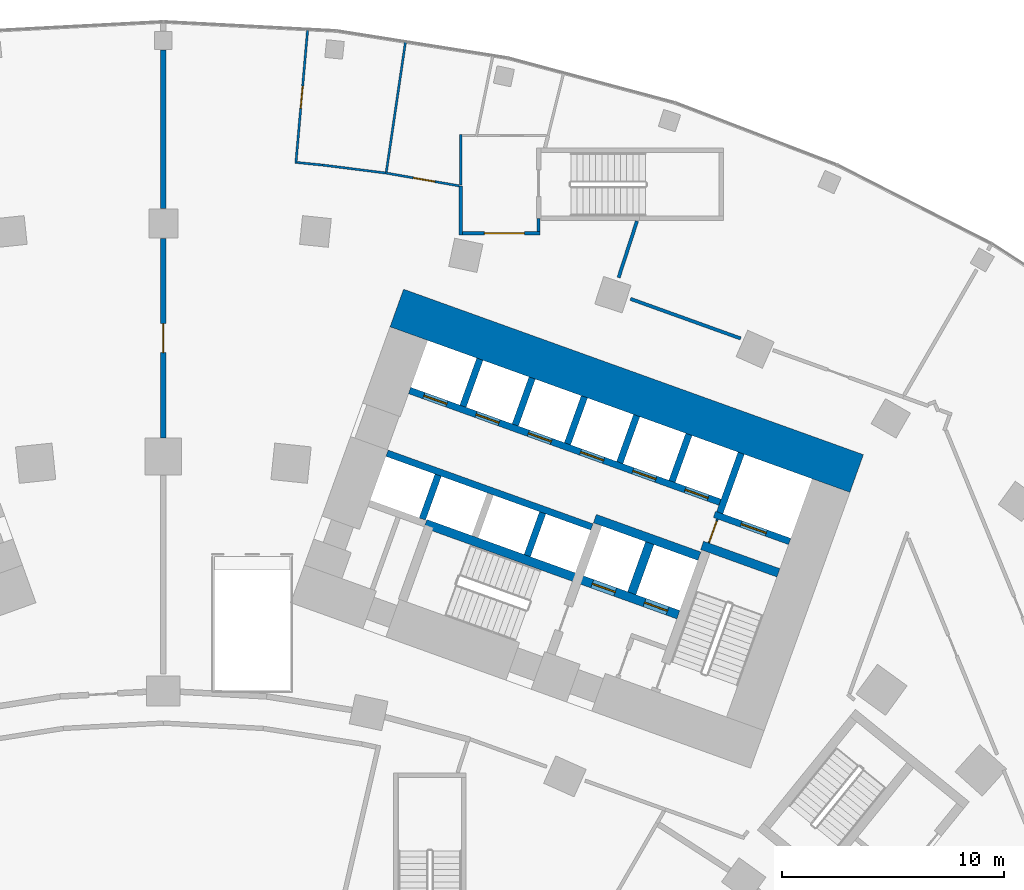
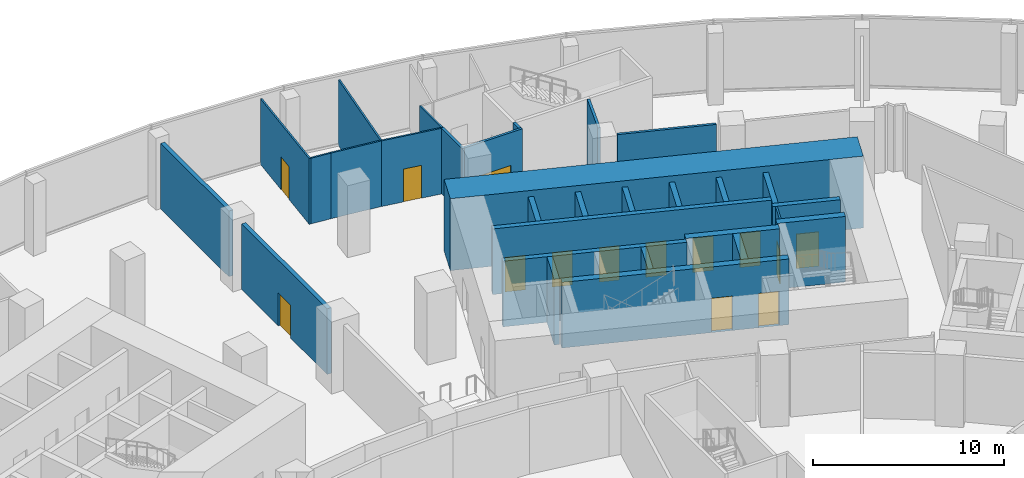
# One storey, part 27 of 40: 30 walls, 14 doors, 14 openings.
"""IFC4 building model written with IfcOpenShell, lengths in metres."""

from ifc_helpers import new_model, si_unit, direction, frame, frame_2d, origin, place, context, subcontext, project, spatial, rectangle, extrude, material, layer, layer_set, type_object, element, fill, save


model = new_model("IFC4")

# Units and contexts
model_context = context("Model", 3, precision=1e-05, world=origin(), true_north=direction((0.0, 1.0)))
body_context = subcontext(model_context, "Body", "Model", "MODEL_VIEW")
ifc_project = project(units=[si_unit("LENGTHUNIT", "METRE"), si_unit("AREAUNIT", "SQUARE_METRE"), si_unit("VOLUMEUNIT", "CUBIC_METRE"), si_unit("PLANEANGLEUNIT", "RADIAN"), si_unit("MASSUNIT", "GRAM", prefix="KILO")], contexts=[model_context])

# Site, building, storey
site_placement = place(None, origin())
site = spatial("IfcSite", under=ifc_project, at=site_placement, CompositionType="ELEMENT")
building_placement = place(site_placement, origin())
building = spatial("IfcBuilding", under=site, at=building_placement, Name="Stone Belt Terrace Tower", CompositionType="ELEMENT")
storey_placement = place(building_placement, frame((0.0, 0.0, 11.60009765625)))
storey = spatial("IfcBuildingStorey", under=building, at=storey_placement, Name="L02", CompositionType="ELEMENT", Elevation=11.60009765625)

# Wall, opening, door
ifc_material_1 = material(Name="Plasterboard partition")
ifc_layer_1 = layer(ifc_material_1, 0.10009765625)
ifc_layer_set_1 = layer_set([ifc_layer_1], Name="Core partition 100")
wall_type_1 = type_object("IfcWallType", Name="Core partition 100", PredefinedType="PARTITIONING", material=ifc_layer_set_1)
wall_1_placement = place(storey_placement, frame((24.555908203125, 51.10400390625, 0.0), z_axis=(0.0, 0.0, 1.0), x_axis=(0.338621735342, 0.94092258999, 0.0)))
wall_1 = element("IfcWall", 1, at=wall_1_placement, inside=storey, type_object=wall_type_1, Name="Core B wall", PredefinedType="PARTITIONING", context=body_context, shape_type="SweptSolid", body=[
    extrude(rectangle(XDim=1.14990234375, YDim=0.10009765625, at=frame_2d((0.574951171875, 0.0))), origin(), (0.0, 0.0, 1.0), 4.199951171875),
])
opening_1_placement = place(wall_1_placement, frame((0.050048828125, 0.0, 0.0)))
opening_1 = element("IfcOpeningElement", 2, at=opening_1_placement, cuts=wall_1, Name="Opening L02-C10", PredefinedType="OPENING", context=body_context, shape_type="SweptSolid", body=[
    extrude(rectangle(XDim=1.0, YDim=2.10009765625, at=frame_2d((0.5, 1.050048828125))), frame((0.0, 0.06005859375, 0.0), z_axis=(0.0, -1.0, 0.0), x_axis=(1.0, 0.0, 0.0)), (0.0, 0.0, 1.0), 0.1201171875),
])
ifc_material_2 = material(Name="Timber door leaf", Category="wood")
door_type_1 = type_object("IfcDoorType", Name="Core room door 1000", OperationType="SINGLE_SWING_LEFT", PredefinedType="DOOR", material=ifc_material_2)
door_1_placement = place(opening_1_placement, origin())
door_1 = element("IfcDoor", 3, at=door_1_placement, inside=storey, type_object=door_type_1, Name="Service lift lobby door core B", OperationType="SINGLE_SWING_RIGHT", OverallHeight=2.10009765625, OverallWidth=1.0, PredefinedType="DOOR", context=body_context, shape_type="SweptSolid", body=[
    extrude(rectangle(XDim=1.0, YDim=2.10009765625, at=frame_2d((0.5, 1.050048828125))), frame((0.0, 0.02490234375, 0.0), z_axis=(0.0, -1.0, 0.0), x_axis=(1.0, 0.0, 0.0)), (0.0, 0.0, 1.0), 0.050048828125),
])
fill(opening_1, door_1)

# Walls
ifc_material_3 = material(Name="Concrete B80", Category="concrete")
ifc_layer_2 = layer(ifc_material_3, 1.800048828125)
ifc_layer_set_2 = layer_set([ifc_layer_2], Name="Core wall 1800 B80")
wall_type_2 = type_object("IfcWallType", Name="Core wall 1800 B80", PredefinedType="SHEAR", material=ifc_layer_set_2)
wall_2_placement = place(storey_placement, frame((10.509033203125, 61.685546875, 0.0), z_axis=(0.0, 0.0, 1.0), x_axis=(0.940922914687, -0.338620833112, 0.0)))
element("IfcWall", 4, at=wall_2_placement, inside=storey, type_object=wall_type_2, Name="Core B wall convex L02", PredefinedType="SHEAR", context=body_context, shape_type="SweptSolid", body=[
    extrude(rectangle(XDim=22.000244140625, YDim=1.800048828125, at=frame_2d((11.0, 0.0))), origin(), (0.0, 0.0, 1.0), 4.599853515625),
])
ifc_layer_3 = layer(ifc_material_3, 0.39990234375)
ifc_layer_set_3 = layer_set([ifc_layer_3], Name="Fire-fighting lift shaft wall 400")
wall_type_3 = type_object("IfcWallType", Name="Fire-fighting lift shaft wall 400", PredefinedType="SHEAR", material=ifc_layer_set_3)
wall_3_placement = place(storey_placement, frame((24.130615234375, 50.512939453125, 0.0), z_axis=(0.0, 0.0, 1.0), x_axis=(-0.94091168377, 0.338652038744, 0.0)))
element("IfcWall", 5, at=wall_3_placement, inside=storey, type_object=wall_type_3, Name="Core B wall", PredefinedType="SHEAR", context=body_context, shape_type="SweptSolid", body=[
    extrude(rectangle(XDim=5.000244140625, YDim=0.39990234375, at=frame_2d((2.5, 0.0))), origin(), (0.0, 0.0, 1.0), 4.199951171875),
])
wall_4_placement = place(storey_placement, frame((21.0859375, 48.845458984375, 0.0), z_axis=(0.0, 0.0, 1.0), x_axis=(0.338629416206, 0.940919825745, 0.0)))
element("IfcWall", 6, at=wall_4_placement, inside=storey, type_object=wall_type_3, Name="Core B wall", PredefinedType="SHEAR", context=body_context, shape_type="SweptSolid", body=[
    extrude(rectangle(XDim=2.400146484375, YDim=0.39990234375, at=frame_2d((1.2001953125, 0.0))), origin(), (0.0, 0.0, 1.0), 4.199951171875),
])

# Wall, opening, door
ifc_material_4 = material(Name="Fire-resistant glazing in steel frame", Category="steel")
ifc_layer_4 = layer(ifc_material_4, 0.25)
ifc_layer_set_4 = layer_set([ifc_layer_4], Name="Glazed compartment fire screen 250")
wall_type_4 = type_object("IfcWallType", Name="Glazed compartment fire screen 250", PredefinedType="PARTITIONING", material=ifc_layer_set_4)
wall_5_placement = place(storey_placement, frame((0.0, 55.844970703125, 0.0), z_axis=(0.0, 0.0, 1.0), x_axis=(0.0, 1.0, 0.0)))
wall_5 = element("IfcWall", 7, at=wall_5_placement, inside=storey, type_object=wall_type_4, Name="Compartment fire screen L02 6", PredefinedType="PARTITIONING", context=body_context, shape_type="SweptSolid", body=[
    extrude(rectangle(XDim=8.973876953125, YDim=0.25, at=frame_2d((4.48681640625, 0.0))), origin(), (0.0, 0.0, 1.0), 4.199951171875),
])
opening_2_placement = place(wall_5_placement, frame((3.8369140625, 0.0, 0.0)))
opening_2 = element("IfcOpeningElement", 8, at=opening_2_placement, cuts=wall_5, Name="Opening L02-P34", PredefinedType="OPENING", context=body_context, shape_type="SweptSolid", body=[
    extrude(rectangle(XDim=1.300048828125, YDim=2.10009765625, at=frame_2d((0.64990234375, 1.050048828125))), frame((0.0, 0.135009765625, 0.0), z_axis=(0.0, -1.0, 0.0), x_axis=(1.0, 0.0, 0.0)), (0.0, 0.0, 1.0), 0.27001953125),
])
ifc_material_5 = material(Name="Steel framed fire door leaf", Category="steel")
door_type_2 = type_object("IfcDoorType", Name="Fire door 1300 x 2100 EI 60", OperationType="SINGLE_SWING_LEFT", PredefinedType="DOOR", material=ifc_material_5)
door_2_placement = place(opening_2_placement, origin())
door_2 = element("IfcDoor", 9, at=door_2_placement, inside=storey, type_object=door_type_2, Name="Fire door 1300 x 2100 EI 60", OperationType="SINGLE_SWING_LEFT", OverallHeight=2.10009765625, OverallWidth=1.300048828125, PredefinedType="DOOR", context=body_context, shape_type="SweptSolid", body=[
    extrude(rectangle(XDim=1.300048828125, YDim=2.10009765625, at=frame_2d((0.64990234375, 1.050048828125))), frame((0.0, 0.02490234375, 0.0), z_axis=(0.0, -1.0, 0.0), x_axis=(1.0, 0.0, 0.0)), (0.0, 0.0, 1.0), 0.050048828125),
])
fill(opening_2, door_2)

# Wall
wall_6_placement = place(storey_placement, frame((0.0, 66.158935546875, 0.0), z_axis=(0.0, 0.0, 1.0), x_axis=(0.0, 1.0, 0.0)))
element("IfcWall", 10, at=wall_6_placement, inside=storey, type_object=wall_type_4, Name="Compartment fire screen L02 6", PredefinedType="PARTITIONING", context=body_context, shape_type="SweptSolid", body=[
    extrude(rectangle(XDim=7.14892578125, YDim=0.25, at=frame_2d((3.574462890625, 0.0))), origin(), (0.0, 0.0, 1.0), 4.199951171875),
])

# Wall, opening, door
ifc_layer_5 = layer(ifc_material_3, 0.300048828125)
ifc_layer_set_5 = layer_set([ifc_layer_5], Name="Lift shaft wall 300")
wall_type_5 = type_object("IfcWallType", Name="Lift shaft wall 300", PredefinedType="SHEAR", material=ifc_layer_set_5)
wall_7_placement = place(storey_placement, frame((28.195068359375, 51.17578125, 0.0), z_axis=(0.0, 0.0, 1.0), x_axis=(-0.940901243567, 0.338681044427, 0.0)))
wall_7 = element("IfcWall", 11, at=wall_7_placement, inside=storey, type_object=wall_type_5, Name="Core B wall", PredefinedType="SHEAR", context=body_context, shape_type="SweptSolid", body=[
    extrude(rectangle(XDim=3.599853515625, YDim=0.300048828125, at=frame_2d((1.7998046875, 0.0))), origin(), (0.0, 0.0, 1.0), 4.199951171875),
])
opening_3_placement = place(wall_7_placement, frame((1.1201171875, 0.0, 0.0)))
opening_3 = element("IfcOpeningElement", 12, at=opening_3_placement, cuts=wall_7, Name="Opening L02-LD18", PredefinedType="OPENING", context=body_context, shape_type="SweptSolid", body=[
    extrude(rectangle(XDim=1.199951171875, YDim=2.199951171875, at=frame_2d((0.60009765625, 1.10009765625))), frame((0.0, 0.159912109375, 0.0), z_axis=(0.0, -1.0, 0.0), x_axis=(1.0, 0.0, 0.0)), (0.0, 0.0, 1.0), 0.320068359375),
])
ifc_material_6 = material(Name="Stainless steel door leaf", Category="steel")
door_type_3 = type_object("IfcDoorType", Name="Landing door 1200", OperationType="SLIDING_TO_LEFT", PredefinedType="DOOR", material=ifc_material_6)
door_3_placement = place(opening_3_placement, origin())
door_3 = element("IfcDoor", 13, at=door_3_placement, inside=storey, type_object=door_type_3, Name="Landing door SV1 core B", OperationType="SLIDING_TO_LEFT", OverallHeight=2.199951171875, OverallWidth=1.199951171875, PredefinedType="DOOR", context=body_context, shape_type="SweptSolid", body=[
    extrude(rectangle(XDim=1.199951171875, YDim=2.199951171875, at=frame_2d((0.60009765625, 1.10009765625))), frame((0.0, 0.02490234375, 0.0), z_axis=(0.0, -1.0, 0.0), x_axis=(1.0, 0.0, 0.0)), (0.0, 0.0, 1.0), 0.050048828125),
])
fill(opening_3, door_3)

# Wall
wall_8_placement = place(storey_placement, frame((25.046875, 52.46826171875, 0.0), z_axis=(0.0, 0.0, 1.0), x_axis=(0.338549588058, 0.940948551423, 0.0)))
element("IfcWall", 14, at=wall_8_placement, inside=storey, type_object=wall_type_5, Name="Core B wall", PredefinedType="SHEAR", context=body_context, shape_type="SweptSolid", body=[
    extrude(rectangle(XDim=2.849853515625, YDim=0.300048828125, at=frame_2d((1.4248046875, 0.0))), origin(), (0.0, 0.0, 1.0), 4.199951171875),
])

# Wall, openings, doors
wall_9_placement = place(storey_placement, frame((25.05810546875, 52.9423828125, 0.0), z_axis=(0.0, 0.0, 1.0), x_axis=(-0.940918215764, 0.338633889685, 0.0)))
wall_9 = element("IfcWall", 15, at=wall_9_placement, inside=storey, type_object=wall_type_5, Name="Core B wall", PredefinedType="SHEAR", context=body_context, shape_type="SweptSolid", body=[
    extrude(rectangle(XDim=14.850341796875, YDim=0.300048828125, at=frame_2d((7.42529296875, 0.0))), origin(), (0.0, 0.0, 1.0), 4.199951171875),
])
opening_4_placement = place(wall_9_placement, frame((0.570068359375, 0.0, 0.0)))
opening_4 = element("IfcOpeningElement", 16, at=opening_4_placement, cuts=wall_9, Name="Opening L02-LD10", PredefinedType="OPENING", context=body_context, shape_type="SweptSolid", body=[
    extrude(rectangle(XDim=1.10009765625, YDim=2.199951171875, at=frame_2d((0.550048828125, 1.10009765625))), frame((0.0, 0.159912109375, 0.0), z_axis=(0.0, -1.0, 0.0), x_axis=(1.0, 0.0, 0.0)), (0.0, 0.0, 1.0), 0.320068359375),
])
opening_5_placement = place(wall_9_placement, frame((3.070068359375, 0.0, 0.0)))
opening_5 = element("IfcOpeningElement", 17, at=opening_5_placement, cuts=wall_9, Name="Opening L02-LD11", PredefinedType="OPENING", context=body_context, shape_type="SweptSolid", body=[
    extrude(rectangle(XDim=1.10009765625, YDim=2.199951171875, at=frame_2d((0.550048828125, 1.10009765625))), frame((0.0, 0.159912109375, 0.0), z_axis=(0.0, -1.0, 0.0), x_axis=(1.0, 0.0, 0.0)), (0.0, 0.0, 1.0), 0.320068359375),
])
opening_6_placement = place(wall_9_placement, frame((5.570068359375, 0.0, 0.0)))
opening_6 = element("IfcOpeningElement", 18, at=opening_6_placement, cuts=wall_9, Name="Opening L02-LD12", PredefinedType="OPENING", context=body_context, shape_type="SweptSolid", body=[
    extrude(rectangle(XDim=1.10009765625, YDim=2.199951171875, at=frame_2d((0.550048828125, 1.10009765625))), frame((0.0, 0.159912109375, 0.0), z_axis=(0.0, -1.0, 0.0), x_axis=(1.0, 0.0, 0.0)), (0.0, 0.0, 1.0), 0.320068359375),
])
opening_7_placement = place(wall_9_placement, frame((8.070068359375, 0.0, 0.0)))
opening_7 = element("IfcOpeningElement", 19, at=opening_7_placement, cuts=wall_9, Name="Opening L02-LD13", PredefinedType="OPENING", context=body_context, shape_type="SweptSolid", body=[
    extrude(rectangle(XDim=1.10009765625, YDim=2.199951171875, at=frame_2d((0.550048828125, 1.10009765625))), frame((0.0, 0.159912109375, 0.0), z_axis=(0.0, -1.0, 0.0), x_axis=(1.0, 0.0, 0.0)), (0.0, 0.0, 1.0), 0.320068359375),
])
opening_8_placement = place(wall_9_placement, frame((10.570068359375, 0.0, 0.0)))
opening_8 = element("IfcOpeningElement", 20, at=opening_8_placement, cuts=wall_9, Name="Opening L02-LD14", PredefinedType="OPENING", context=body_context, shape_type="SweptSolid", body=[
    extrude(rectangle(XDim=1.10009765625, YDim=2.199951171875, at=frame_2d((0.550048828125, 1.10009765625))), frame((0.0, 0.159912109375, 0.0), z_axis=(0.0, -1.0, 0.0), x_axis=(1.0, 0.0, 0.0)), (0.0, 0.0, 1.0), 0.320068359375),
])
opening_9_placement = place(wall_9_placement, frame((13.070068359375, 0.0, 0.0)))
opening_9 = element("IfcOpeningElement", 21, at=opening_9_placement, cuts=wall_9, Name="Opening L02-LD15", PredefinedType="OPENING", context=body_context, shape_type="SweptSolid", body=[
    extrude(rectangle(XDim=1.10009765625, YDim=2.199951171875, at=frame_2d((0.550048828125, 1.10009765625))), frame((0.0, 0.159912109375, 0.0), z_axis=(0.0, -1.0, 0.0), x_axis=(1.0, 0.0, 0.0)), (0.0, 0.0, 1.0), 0.320068359375),
])
door_type_4 = type_object("IfcDoorType", Name="Landing door 1100", OperationType="SLIDING_TO_LEFT", PredefinedType="DOOR", material=ifc_material_6)
door_4_placement = place(opening_4_placement, origin())
door_4 = element("IfcDoor", 22, at=door_4_placement, inside=storey, type_object=door_type_4, Name="Landing door LR1 core B", OperationType="SLIDING_TO_LEFT", OverallHeight=2.199951171875, OverallWidth=1.10009765625, PredefinedType="DOOR", context=body_context, shape_type="SweptSolid", body=[
    extrude(rectangle(XDim=1.10009765625, YDim=2.199951171875, at=frame_2d((0.550048828125, 1.10009765625))), frame((0.0, 0.02490234375, 0.0), z_axis=(0.0, -1.0, 0.0), x_axis=(1.0, 0.0, 0.0)), (0.0, 0.0, 1.0), 0.050048828125),
])
fill(opening_4, door_4)
door_5_placement = place(opening_5_placement, origin())
door_5 = element("IfcDoor", 23, at=door_5_placement, inside=storey, type_object=door_type_4, Name="Landing door LR2 core B", OperationType="SLIDING_TO_LEFT", OverallHeight=2.199951171875, OverallWidth=1.10009765625, PredefinedType="DOOR", context=body_context, shape_type="SweptSolid", body=[
    extrude(rectangle(XDim=1.10009765625, YDim=2.199951171875, at=frame_2d((0.550048828125, 1.10009765625))), frame((0.0, 0.02490234375, 0.0), z_axis=(0.0, -1.0, 0.0), x_axis=(1.0, 0.0, 0.0)), (0.0, 0.0, 1.0), 0.050048828125),
])
fill(opening_5, door_5)
door_6_placement = place(opening_6_placement, origin())
door_6 = element("IfcDoor", 24, at=door_6_placement, inside=storey, type_object=door_type_4, Name="Landing door LR3 core B", OperationType="SLIDING_TO_LEFT", OverallHeight=2.199951171875, OverallWidth=1.10009765625, PredefinedType="DOOR", context=body_context, shape_type="SweptSolid", body=[
    extrude(rectangle(XDim=1.10009765625, YDim=2.199951171875, at=frame_2d((0.550048828125, 1.10009765625))), frame((0.0, 0.02490234375, 0.0), z_axis=(0.0, -1.0, 0.0), x_axis=(1.0, 0.0, 0.0)), (0.0, 0.0, 1.0), 0.050048828125),
])
fill(opening_6, door_6)
door_7_placement = place(opening_7_placement, origin())
door_7 = element("IfcDoor", 25, at=door_7_placement, inside=storey, type_object=door_type_4, Name="Landing door LR4 core B", OperationType="SLIDING_TO_LEFT", OverallHeight=2.199951171875, OverallWidth=1.10009765625, PredefinedType="DOOR", context=body_context, shape_type="SweptSolid", body=[
    extrude(rectangle(XDim=1.10009765625, YDim=2.199951171875, at=frame_2d((0.550048828125, 1.10009765625))), frame((0.0, 0.02490234375, 0.0), z_axis=(0.0, -1.0, 0.0), x_axis=(1.0, 0.0, 0.0)), (0.0, 0.0, 1.0), 0.050048828125),
])
fill(opening_7, door_7)
door_8_placement = place(opening_8_placement, origin())
door_8 = element("IfcDoor", 26, at=door_8_placement, inside=storey, type_object=door_type_4, Name="Landing door LR5 core B", OperationType="SLIDING_TO_LEFT", OverallHeight=2.199951171875, OverallWidth=1.10009765625, PredefinedType="DOOR", context=body_context, shape_type="SweptSolid", body=[
    extrude(rectangle(XDim=1.10009765625, YDim=2.199951171875, at=frame_2d((0.550048828125, 1.10009765625))), frame((0.0, 0.02490234375, 0.0), z_axis=(0.0, -1.0, 0.0), x_axis=(1.0, 0.0, 0.0)), (0.0, 0.0, 1.0), 0.050048828125),
])
fill(opening_8, door_8)
door_9_placement = place(opening_9_placement, origin())
door_9 = element("IfcDoor", 27, at=door_9_placement, inside=storey, type_object=door_type_4, Name="Landing door LR6 core B", OperationType="SLIDING_TO_LEFT", OverallHeight=2.199951171875, OverallWidth=1.10009765625, PredefinedType="DOOR", context=body_context, shape_type="SweptSolid", body=[
    extrude(rectangle(XDim=1.10009765625, YDim=2.199951171875, at=frame_2d((0.550048828125, 1.10009765625))), frame((0.0, 0.02490234375, 0.0), z_axis=(0.0, -1.0, 0.0), x_axis=(1.0, 0.0, 0.0)), (0.0, 0.0, 1.0), 0.050048828125),
])
fill(opening_9, door_9)

# Walls
wall_10_placement = place(storey_placement, frame((22.897705078125, 53.87939453125, 0.0), z_axis=(0.0, 0.0, 1.0), x_axis=(0.338535034312, 0.940953787677, 0.0)))
element("IfcWall", 28, at=wall_10_placement, inside=storey, type_object=wall_type_5, Name="Core B wall", PredefinedType="SHEAR", context=body_context, shape_type="SweptSolid", body=[
    extrude(rectangle(XDim=2.25, YDim=0.300048828125, at=frame_2d((1.125, 0.0))), origin(), (0.0, 0.0, 1.0), 4.199951171875),
])
wall_11_placement = place(storey_placement, frame((19.29052734375, 51.829833984375, 0.0), z_axis=(0.0, 0.0, 1.0), x_axis=(-0.940925833398, 0.338612722803, 0.0)))
element("IfcWall", 29, at=wall_11_placement, inside=storey, type_object=wall_type_5, Name="Core B wall", PredefinedType="SHEAR", context=body_context, shape_type="SweptSolid", body=[
    extrude(rectangle(XDim=9.7998046875, YDim=0.300048828125, at=frame_2d((4.89990234375, 0.0))), origin(), (0.0, 0.0, 1.0), 4.199951171875),
])
wall_12_placement = place(storey_placement, frame((20.54541015625, 54.72607421875, 0.0), z_axis=(0.0, 0.0, 1.0), x_axis=(0.338569601369, 0.940941350472, 0.0)))
element("IfcWall", 30, at=wall_12_placement, inside=storey, type_object=wall_type_5, Name="Core B wall", PredefinedType="SHEAR", context=body_context, shape_type="SweptSolid", body=[
    extrude(rectangle(XDim=2.249755859375, YDim=0.300048828125, at=frame_2d((1.125, 0.0))), origin(), (0.0, 0.0, 1.0), 4.199951171875),
])
wall_13_placement = place(storey_placement, frame((16.38134765625, 50.53857421875, 0.0), z_axis=(0.0, 0.0, 1.0), x_axis=(0.338681515556, 0.940901073982, 0.0)))
element("IfcWall", 31, at=wall_13_placement, inside=storey, type_object=wall_type_5, Name="Core B wall", PredefinedType="SHEAR", context=body_context, shape_type="SweptSolid", body=[
    extrude(rectangle(XDim=2.050048828125, YDim=0.300048828125, at=frame_2d((1.02490234375, 0.0))), origin(), (0.0, 0.0, 1.0), 4.199951171875),
])
wall_14_placement = place(storey_placement, frame((18.193115234375, 55.572509765625, 0.0), z_axis=(0.0, 0.0, 1.0), x_axis=(0.338535034312, 0.940953787677, 0.0)))
element("IfcWall", 32, at=wall_14_placement, inside=storey, type_object=wall_type_5, Name="Core B wall", PredefinedType="SHEAR", context=body_context, shape_type="SweptSolid", body=[
    extrude(rectangle(XDim=2.25, YDim=0.300048828125, at=frame_2d((1.125, 0.0))), origin(), (0.0, 0.0, 1.0), 4.199951171875),
])
wall_15_placement = place(storey_placement, frame((15.8408203125, 56.419189453125, 0.0), z_axis=(0.0, 0.0, 1.0), x_axis=(0.338569601369, 0.940941350472, 0.0)))
element("IfcWall", 33, at=wall_15_placement, inside=storey, type_object=wall_type_5, Name="Core B wall", PredefinedType="SHEAR", context=body_context, shape_type="SweptSolid", body=[
    extrude(rectangle(XDim=2.249755859375, YDim=0.300048828125, at=frame_2d((1.125, 0.0))), origin(), (0.0, 0.0, 1.0), 4.199951171875),
])
wall_16_placement = place(storey_placement, frame((11.659912109375, 52.184814453125, 0.0), z_axis=(0.0, 0.0, 1.0), x_axis=(0.338670064856, 0.940905195634, 0.0)))
element("IfcWall", 34, at=wall_16_placement, inside=storey, type_object=wall_type_5, Name="Core B wall", PredefinedType="SHEAR", context=body_context, shape_type="SweptSolid", body=[
    extrude(rectangle(XDim=2.099853515625, YDim=0.300048828125, at=frame_2d((1.0498046875, 0.0))), origin(), (0.0, 0.0, 1.0), 4.199951171875),
])
wall_17_placement = place(storey_placement, frame((13.48828125, 57.265625, 0.0), z_axis=(0.0, 0.0, 1.0), x_axis=(0.338631098537, 0.940919220286, 0.0)))
element("IfcWall", 35, at=wall_17_placement, inside=storey, type_object=wall_type_5, Name="Core B wall", PredefinedType="SHEAR", context=body_context, shape_type="SweptSolid", body=[
    extrude(rectangle(XDim=2.250244140625, YDim=0.300048828125, at=frame_2d((1.125, 0.0))), origin(), (0.0, 0.0, 1.0), 4.199951171875),
])
ifc_material_7 = material(Name="Gypsum board on steel stud partition", Category="steel")
ifc_layer_6 = layer(ifc_material_7, 0.14990234375)
ifc_layer_set_6 = layer_set([ifc_layer_6], Name="Podium partition 150")
wall_type_6 = type_object("IfcWallType", Name="Podium partition 150", PredefinedType="PARTITIONING", material=ifc_layer_set_6)
wall_18_placement = place(storey_placement, frame((13.389892578125, 64.97509765625, 0.0), z_axis=(0.0, 0.0, 1.0), x_axis=(0.0, 1.0, 0.0)))
element("IfcWall", 36, at=wall_18_placement, inside=storey, type_object=wall_type_6, Name="Podium partition 150", PredefinedType="PARTITIONING", context=body_context, shape_type="SweptSolid", body=[
    extrude(rectangle(XDim=2.204833984375, YDim=0.14990234375, at=frame_2d((1.1025390625, 0.0))), origin(), (0.0, 0.0, 1.0), 4.199951171875),
])

# Wall, opening, door
wall_19_placement = place(storey_placement, frame((13.465087890625, 65.050048828125, 0.0), z_axis=(0.0, 0.0, 1.0), x_axis=(1.0, 0.0, 0.0)))
wall_19 = element("IfcWall", 37, at=wall_19_placement, inside=storey, type_object=wall_type_6, Name="Podium partition 150", PredefinedType="PARTITIONING", context=body_context, shape_type="SweptSolid", body=[
    extrude(rectangle(XDim=3.5, YDim=0.14990234375, at=frame_2d((1.75, 0.0))), origin(), (0.0, 0.0, 1.0), 4.199951171875),
])
opening_10_placement = place(wall_19_placement, frame((0.989990234375, 0.0, 0.0)))
opening_10 = element("IfcOpeningElement", 38, at=opening_10_placement, cuts=wall_19, Name="Opening L02-P37", PredefinedType="OPENING", context=body_context, shape_type="SweptSolid", body=[
    extrude(rectangle(XDim=1.800048828125, YDim=2.10009765625, at=frame_2d((0.89990234375, 1.050048828125))), frame((0.0, 0.0849609375, 0.0), z_axis=(0.0, -1.0, 0.0), x_axis=(1.0, 0.0, 0.0)), (0.0, 0.0, 1.0), 0.169921875),
])
ifc_material_8 = material(Name="Steel framed door leaf", Category="steel")
door_type_5 = type_object("IfcDoorType", Name="Podium door double 1800", OperationType="DOUBLE_DOOR_SINGLE_SWING", PredefinedType="DOOR", material=ifc_material_8)
door_10_placement = place(opening_10_placement, origin())
door_10 = element("IfcDoor", 39, at=door_10_placement, inside=storey, type_object=door_type_5, Name="Podium door double 1800", OperationType="DOUBLE_DOOR_SINGLE_SWING", OverallHeight=2.10009765625, OverallWidth=1.800048828125, PredefinedType="DOOR", context=body_context, shape_type="SweptSolid", body=[
    extrude(rectangle(XDim=1.800048828125, YDim=2.10009765625, at=frame_2d((0.89990234375, 1.050048828125))), frame((0.0, 0.02490234375, 0.0), z_axis=(0.0, -1.0, 0.0), x_axis=(1.0, 0.0, 0.0)), (0.0, 0.0, 1.0), 0.050048828125),
])
fill(opening_10, door_10)

# Walls
wall_20_placement = place(storey_placement, frame((16.889892578125, 65.125, 0.0), z_axis=(0.0, 0.0, 1.0), x_axis=(0.0, 1.0, 0.0)))
element("IfcWall", 40, at=wall_20_placement, inside=storey, type_object=wall_type_6, Name="Podium partition 150", PredefinedType="PARTITIONING", context=body_context, shape_type="SweptSolid", body=[
    extrude(rectangle(XDim=0.594970703125, YDim=0.14990234375, at=frame_2d((0.29736328125, 0.0))), origin(), (0.0, 0.0, 1.0), 4.199951171875),
])
wall_21_placement = place(storey_placement, frame((20.4921875, 63.052490234375, 0.0), z_axis=(0.0, 0.0, 1.0), x_axis=(0.309376936242, 0.95093948878, 0.0)))
element("IfcWall", 41, at=wall_21_placement, inside=storey, type_object=wall_type_6, Name="Podium partition 150", PredefinedType="PARTITIONING", context=body_context, shape_type="SweptSolid", body=[
    extrude(rectangle(XDim=2.676025390625, YDim=0.14990234375, at=frame_2d((1.337890625, 0.0))), origin(), (0.0, 0.0, 1.0), 4.199951171875),
])
wall_22_placement = place(storey_placement, frame((21.025634765625, 62.09814453125, 0.0), z_axis=(0.0, 0.0, 1.0), x_axis=(0.94099711715, -0.338414576393, 0.0)))
element("IfcWall", 42, at=wall_22_placement, inside=storey, type_object=wall_type_6, Name="Podium partition 150", PredefinedType="PARTITIONING", context=body_context, shape_type="SweptSolid", body=[
    extrude(rectangle(XDim=5.2744140625, YDim=0.14990234375, at=frame_2d((2.63720703125, 0.0))), origin(), (0.0, 0.0, 1.0), 4.199951171875),
])

# Wall, opening, door
ifc_material_9 = material(Name="Moisture-resistant board on steel stud partition", Category="steel")
ifc_layer_7 = layer(ifc_material_9, 0.10009765625)
ifc_layer_set_7 = layer_set([ifc_layer_7], Name="Podium toilet partition 100")
wall_type_7 = type_object("IfcWallType", Name="Podium toilet partition 100", PredefinedType="PARTITIONING", material=ifc_layer_set_7)
wall_23_placement = place(storey_placement, frame((5.965576171875, 68.190185546875, 0.0), z_axis=(0.0, 0.0, 1.0), x_axis=(0.087496871295, 0.996164794356, 0.0)))
wall_23 = element("IfcWall", 43, at=wall_23_placement, inside=storey, type_object=wall_type_7, Name="Podium toilet partition 100", PredefinedType="PARTITIONING", context=body_context, shape_type="SweptSolid", body=[
    extrude(rectangle(XDim=6.04931640625, YDim=0.10009765625, at=frame_2d((3.024658203125, 0.0))), origin(), (0.0, 0.0, 1.0), 4.199951171875),
])
opening_11_placement = place(wall_23_placement, frame((2.496337890625, 0.0, 0.0)))
opening_11 = element("IfcOpeningElement", 44, at=opening_11_placement, cuts=wall_23, Name="Opening L02-P13", PredefinedType="OPENING", context=body_context, shape_type="SweptSolid", body=[
    extrude(rectangle(XDim=1.0, YDim=2.10009765625, at=frame_2d((0.5, 1.050048828125))), frame((0.0, 0.06005859375, 0.0), z_axis=(0.0, -1.0, 0.0), x_axis=(1.0, 0.0, 0.0)), (0.0, 0.0, 1.0), 0.1201171875),
])
door_type_6 = type_object("IfcDoorType", Name="Podium door single 1000", OperationType="SINGLE_SWING_LEFT", PredefinedType="DOOR", material=ifc_material_8)
door_11_placement = place(opening_11_placement, origin())
door_11 = element("IfcDoor", 45, at=door_11_placement, inside=storey, type_object=door_type_6, Name="Podium door single 1000", OperationType="SINGLE_SWING_LEFT", OverallHeight=2.10009765625, OverallWidth=1.0, PredefinedType="DOOR", context=body_context, shape_type="SweptSolid", body=[
    extrude(rectangle(XDim=1.0, YDim=2.10009765625, at=frame_2d((0.5, 1.050048828125))), frame((0.0, 0.02490234375, 0.0), z_axis=(0.0, -1.0, 0.0), x_axis=(1.0, 0.0, 0.0)), (0.0, 0.0, 1.0), 0.050048828125),
])
fill(opening_11, door_11)

# Walls
wall_24_placement = place(storey_placement, frame((6.019775390625, 68.235107421875, 0.0), z_axis=(0.0, 0.0, 1.0), x_axis=(0.994948162033, -0.100390013778, 0.0)))
element("IfcWall", 46, at=wall_24_placement, inside=storey, type_object=wall_type_7, Name="Podium toilet partition 100", PredefinedType="PARTITIONING", context=body_context, shape_type="SweptSolid", body=[
    extrude(rectangle(XDim=1.1455078125, YDim=0.10009765625, at=frame_2d((0.57275390625, 0.0))), origin(), (0.0, 0.0, 1.0), 4.199951171875),
])
wall_25_placement = place(storey_placement, frame((7.16064453125, 68.119873046875, 0.0), z_axis=(0.0, 0.0, 1.0), x_axis=(0.99223102854, -0.124408946633, 0.0)))
element("IfcWall", 47, at=wall_25_placement, inside=storey, type_object=wall_type_7, Name="Podium toilet partition 100", PredefinedType="PARTITIONING", context=body_context, shape_type="SweptSolid", body=[
    extrude(rectangle(XDim=2.890625, YDim=0.10009765625, at=frame_2d((1.4453125, 0.0))), origin(), (0.0, 0.0, 1.0), 4.199951171875),
])
wall_26_placement = place(storey_placement, frame((10.037353515625, 67.8095703125, 0.0), z_axis=(0.0, 0.0, 1.0), x_axis=(0.145664044833, 0.989334112443, 0.0)))
element("IfcWall", 48, at=wall_26_placement, inside=storey, type_object=wall_type_7, Name="Podium toilet partition 100", PredefinedType="PARTITIONING", context=body_context, shape_type="SweptSolid", body=[
    extrude(rectangle(XDim=5.95166015625, YDim=0.10009765625, at=frame_2d((2.975830078125, 0.0))), origin(), (0.0, 0.0, 1.0), 4.199951171875),
])

# Wall, opening, door
wall_27_placement = place(storey_placement, frame((10.03125, 67.759765625, 0.0), z_axis=(0.0, 0.0, 1.0), x_axis=(0.984936469685, -0.172916600371, 0.0)))
wall_27 = element("IfcWall", 49, at=wall_27_placement, inside=storey, type_object=wall_type_7, Name="Podium toilet partition 100", PredefinedType="PARTITIONING", context=body_context, shape_type="SweptSolid", body=[
    extrude(rectangle(XDim=3.3349609375, YDim=0.10009765625, at=frame_2d((1.66748046875, 0.0))), origin(), (0.0, 0.0, 1.0), 4.199951171875),
])
opening_12_placement = place(wall_27_placement, frame((1.23046875, 0.0, 0.0)))
opening_12 = element("IfcOpeningElement", 50, at=opening_12_placement, cuts=wall_27, Name="Opening L02-P14", PredefinedType="OPENING", context=body_context, shape_type="SweptSolid", body=[
    extrude(rectangle(XDim=1.0, YDim=2.10009765625, at=frame_2d((0.5, 1.050048828125))), frame((0.0, 0.06005859375, 0.0), z_axis=(0.0, -1.0, 0.0), x_axis=(1.0, 0.0, 0.0)), (0.0, 0.0, 1.0), 0.1201171875),
])
door_12_placement = place(opening_12_placement, origin())
door_12 = element("IfcDoor", 51, at=door_12_placement, inside=storey, type_object=door_type_6, Name="Podium door single 1000", OperationType="SINGLE_SWING_RIGHT", OverallHeight=2.10009765625, OverallWidth=1.0, PredefinedType="DOOR", context=body_context, shape_type="SweptSolid", body=[
    extrude(rectangle(XDim=1.0, YDim=2.10009765625, at=frame_2d((0.5, 1.050048828125))), frame((0.0, 0.02490234375, 0.0), z_axis=(0.0, -1.0, 0.0), x_axis=(1.0, 0.0, 0.0)), (0.0, 0.0, 1.0), 0.050048828125),
])
fill(opening_12, door_12)

# Walls
wall_28_placement = place(storey_placement, frame((13.389892578125, 67.220703125, 0.0), z_axis=(0.0, 0.0, 1.0), x_axis=(0.0, 1.0, 0.0)))
element("IfcWall", 52, at=wall_28_placement, inside=storey, type_object=wall_type_7, Name="Podium toilet partition 100", PredefinedType="PARTITIONING", context=body_context, shape_type="SweptSolid", body=[
    extrude(rectangle(XDim=2.279296875, YDim=0.10009765625, at=frame_2d((1.1396484375, 0.0))), origin(), (0.0, 0.0, 1.0), 4.199951171875),
])
ifc_layer_8 = layer(ifc_material_3, 0.39990234375)
ifc_layer_set_8 = layer_set([ifc_layer_8], Name="Stair enclosure wall 400")
wall_type_8 = type_object("IfcWallType", Name="Stair enclosure wall 400", PredefinedType="SHEAR", material=ifc_layer_set_8)
wall_29_placement = place(storey_placement, frame((27.687255859375, 49.764404296875, 0.0), z_axis=(0.0, 0.0, 1.0), x_axis=(-0.940918954884, 0.338631835981, 0.0)))
element("IfcWall", 53, at=wall_29_placement, inside=storey, type_object=wall_type_8, Name="Core B wall", PredefinedType="SHEAR", context=body_context, shape_type="SweptSolid", body=[
    extrude(rectangle(XDim=3.650146484375, YDim=0.39990234375, at=frame_2d((1.8251953125, 0.0))), origin(), (0.0, 0.0, 1.0), 4.199951171875),
])

# Wall, openings, doors
wall_30_placement = place(storey_placement, frame((23.182373046875, 47.87841796875, 0.0), z_axis=(0.0, 0.0, 1.0), x_axis=(-0.940921101762, 0.338625870628, 0.0)))
wall_30 = element("IfcWall", 54, at=wall_30_placement, inside=storey, type_object=wall_type_8, Name="Core B wall", PredefinedType="SHEAR", context=body_context, shape_type="SweptSolid", body=[
    extrude(rectangle(XDim=12.10009765625, YDim=0.39990234375, at=frame_2d((6.050048828125, 0.0))), origin(), (0.0, 0.0, 1.0), 4.199951171875),
])
opening_13_placement = place(wall_30_placement, frame((0.52001953125, 0.0, 0.0)))
opening_13 = element("IfcOpeningElement", 55, at=opening_13_placement, cuts=wall_30, Name="Opening L02-LD16", PredefinedType="OPENING", context=body_context, shape_type="SweptSolid", body=[
    extrude(rectangle(XDim=1.10009765625, YDim=2.199951171875, at=frame_2d((0.550048828125, 1.10009765625))), frame((0.0, 0.2099609375, 0.0), z_axis=(0.0, -1.0, 0.0), x_axis=(1.0, 0.0, 0.0)), (0.0, 0.0, 1.0), 0.419921875),
])
opening_14_placement = place(wall_30_placement, frame((3.02001953125, 0.0, 0.0)))
opening_14 = element("IfcOpeningElement", 56, at=opening_14_placement, cuts=wall_30, Name="Opening L02-LD17", PredefinedType="OPENING", context=body_context, shape_type="SweptSolid", body=[
    extrude(rectangle(XDim=1.10009765625, YDim=2.199951171875, at=frame_2d((0.550048828125, 1.10009765625))), frame((0.0, 0.2099609375, 0.0), z_axis=(0.0, -1.0, 0.0), x_axis=(1.0, 0.0, 0.0)), (0.0, 0.0, 1.0), 0.419921875),
])
door_13_placement = place(opening_13_placement, origin())
door_13 = element("IfcDoor", 57, at=door_13_placement, inside=storey, type_object=door_type_4, Name="Landing door FF1 core B", OperationType="SLIDING_TO_LEFT", OverallHeight=2.199951171875, OverallWidth=1.10009765625, PredefinedType="DOOR", context=body_context, shape_type="SweptSolid", body=[
    extrude(rectangle(XDim=1.10009765625, YDim=2.199951171875, at=frame_2d((0.550048828125, 1.10009765625))), frame((0.0, 0.02490234375, 0.0), z_axis=(0.0, -1.0, 0.0), x_axis=(1.0, 0.0, 0.0)), (0.0, 0.0, 1.0), 0.050048828125),
])
fill(opening_13, door_13)
door_14_placement = place(opening_14_placement, origin())
door_14 = element("IfcDoor", 58, at=door_14_placement, inside=storey, type_object=door_type_4, Name="Landing door FF2 core B", OperationType="SLIDING_TO_LEFT", OverallHeight=2.199951171875, OverallWidth=1.10009765625, PredefinedType="DOOR", context=body_context, shape_type="SweptSolid", body=[
    extrude(rectangle(XDim=1.10009765625, YDim=2.199951171875, at=frame_2d((0.550048828125, 1.10009765625))), frame((0.0, 0.02490234375, 0.0), z_axis=(0.0, -1.0, 0.0), x_axis=(1.0, 0.0, 0.0)), (0.0, 0.0, 1.0), 0.050048828125),
])
fill(opening_14, door_14)

save(model, "model.ifc")
